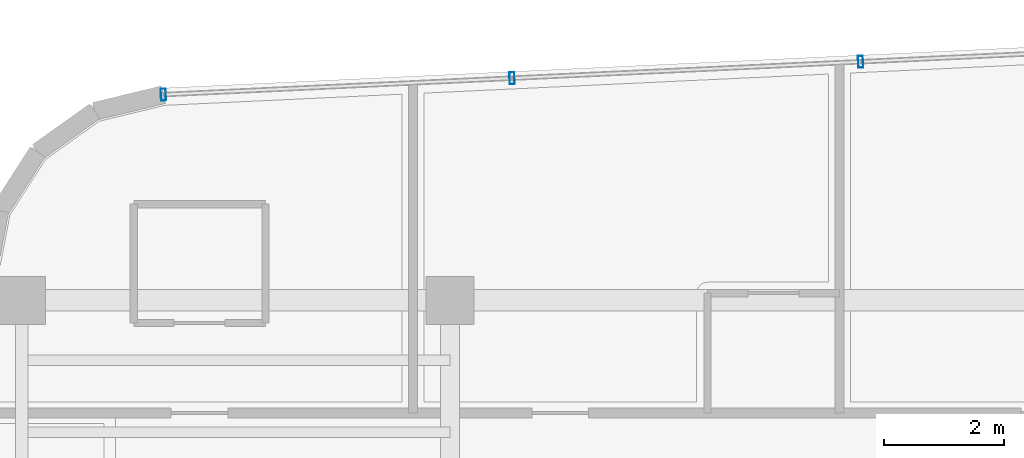
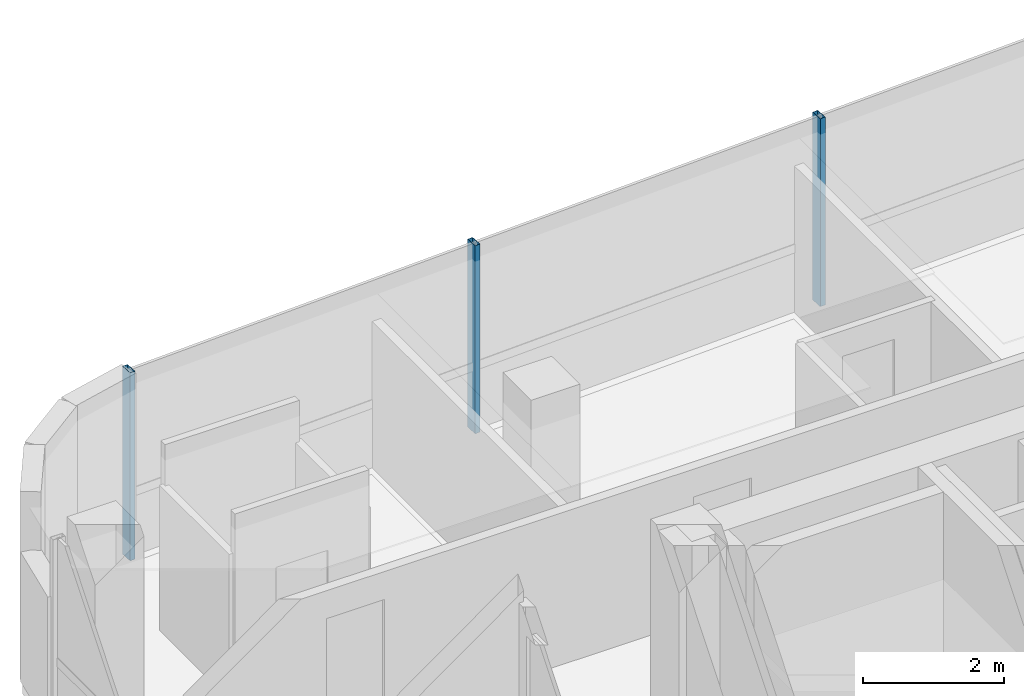
# One storey, part 10 of 18: 3 members, 1 element without a shape of its own.
"""IFC4 building model written with IfcOpenShell, lengths in metres."""

from ifc_helpers import new_model, si_unit, direction, frame, origin, origin_2d, place, context, subcontext, project, spatial, hollow_rectangle, extrude, source, transform, mapped, material, material_profile, profile_set, type_object, element, aggregate, save


model = new_model("IFC4")

# Units and contexts
model_context = context("Model", 3, precision=1e-05, world=origin(), true_north=direction((0.0, 1.0)))
body_context = subcontext(model_context, "Body", "Model", "MODEL_VIEW")
ifc_project = project(units=[si_unit("LENGTHUNIT", "METRE"), si_unit("AREAUNIT", "SQUARE_METRE"), si_unit("VOLUMEUNIT", "CUBIC_METRE"), si_unit("PLANEANGLEUNIT", "RADIAN"), si_unit("MASSUNIT", "GRAM", prefix="KILO")], contexts=[model_context])

# Site, building, storey
site_placement = place(None, origin())
site = spatial("IfcSite", under=ifc_project, at=site_placement, CompositionType="ELEMENT")
building_placement = place(site_placement, origin())
building = spatial("IfcBuilding", under=site, at=building_placement, Name="Valdorenza Pilgrim Sanctuary Tower", CompositionType="ELEMENT")
storey_placement = place(building_placement, frame((0.0, 0.0, 247.5)))
storey = spatial("IfcBuildingStorey", under=building, at=storey_placement, Name="L64", CompositionType="ELEMENT", Elevation=247.5)

# Curtain wall, members
ifc_material_1 = material(Name="Curtain-wall IGU glazing", Category="glass")
curtain_wall_type = type_object("IfcCurtainWallType", Name="CW-SYS-02", PredefinedType="NOTDEFINED", material=ifc_material_1)
curtain_wall_placement = place(storey_placement, origin())
curtain_wall = element("IfcCurtainWall", 1, at=curtain_wall_placement, inside=storey, type_object=curtain_wall_type, Name="L64 Curtain Wall CW-L64-1-6", PredefinedType="NOTDEFINED")
ifc_material_2 = material(Name="Anodised aluminium AW-6060", Category="aluminium")
ifc_material_profile = material_profile(ifc_material_2, hollow_rectangle(XDim=0.0849609375, YDim=0.199951171875, WallThickness=0.0048828125, at=origin_2d()), Name="ALU-M 200x85x5")
ifc_profile_set = profile_set([ifc_material_profile], Name="Anodised aluminium AW-6060")
member_type = type_object("IfcMemberType", Name="CW-MUL-02", PredefinedType="MULLION", material=ifc_profile_set)
shared_shape = source(origin(), body_context, "Body", "SweptSolid", [
    extrude(hollow_rectangle(XDim=0.0849609375, YDim=0.199951171875, WallThickness=0.0048828125, at=origin_2d()), origin(), (0.0, 0.0, 1.0), 3.260009765625),
])
member_1_placement = place(storey_placement, frame((-27.43505859375, 18.234375, 0.0), z_axis=(0.0, 0.0, 1.0), x_axis=(0.998890696972, 0.047089016785, 0.0)))
member_1 = element("IfcMember", 2, at=member_1_placement, type_object=member_type, Name="CW-L64-1-6 Mullion 1", PredefinedType="MULLION", context=body_context, shape_type="MappedRepresentation", body=[
    mapped(shared_shape, transform((0.0, 0.0, 0.0), x_axis=(1.0, 0.0, 0.0), y_axis=(0.0, 1.0, 0.0), z_axis=(0.0, 0.0, 1.0), scale=1.0)),
])
member_2_placement = place(storey_placement, frame((-21.615478515625, 18.5087890625, 0.0), z_axis=(0.0, 0.0, 1.0), x_axis=(0.998890696972, 0.047089016785, 0.0)))
member_2 = element("IfcMember", 3, at=member_2_placement, type_object=member_type, Name="CW-L64-1-6 Mullion 2", PredefinedType="MULLION", context=body_context, shape_type="MappedRepresentation", body=[
    mapped(shared_shape, transform((0.0, 0.0, 0.0), x_axis=(1.0, 0.0, 0.0), y_axis=(0.0, 1.0, 0.0), z_axis=(0.0, 0.0, 1.0), scale=1.0)),
])
member_3_placement = place(storey_placement, frame((-15.7958984375, 18.782958984375, 0.0), z_axis=(0.0, 0.0, 1.0), x_axis=(0.998890696972, 0.047089016785, 0.0)))
member_3 = element("IfcMember", 4, at=member_3_placement, type_object=member_type, Name="CW-L64-1-6 Mullion 3", PredefinedType="MULLION", context=body_context, shape_type="MappedRepresentation", body=[
    mapped(shared_shape, transform((0.0, 0.0, 0.0), x_axis=(1.0, 0.0, 0.0), y_axis=(0.0, 1.0, 0.0), z_axis=(0.0, 0.0, 1.0), scale=1.0)),
])
aggregate(curtain_wall, [member_1, member_2, member_3])

save(model, "model.ifc")
